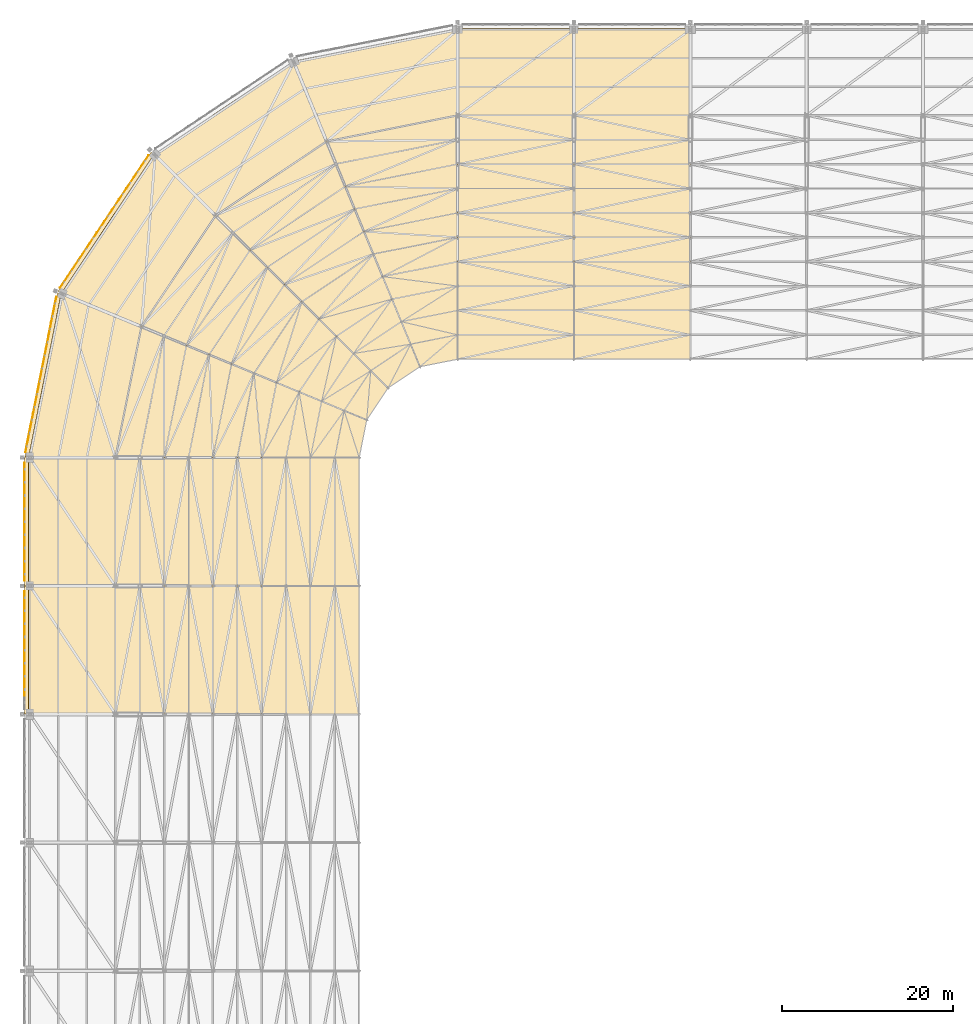
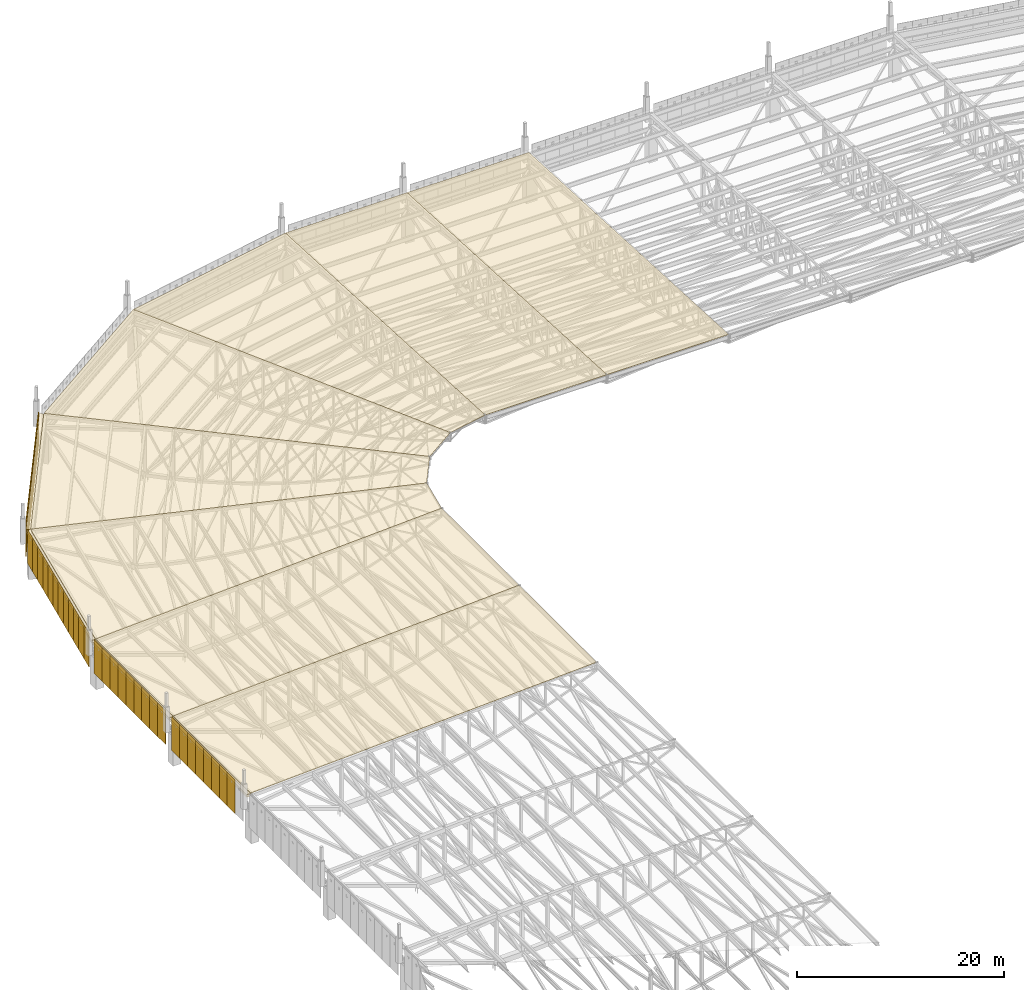
# One storey, part 276 of 278: 41 shading devices, 12 coverings.
"""IFC4 building model written with IfcOpenShell, lengths in metres."""

from ifc_helpers import new_model, si_unit, direction, frame, origin, origin_2d, place, context, subcontext, project, spatial, polyline, rectangle, outline, extrude, material, layer, layer_set, type_object, element, save


model = new_model("IFC4")

# Units and contexts
model_context = context("Model", 3, precision=1e-05, world=origin(), true_north=direction((0.0, 1.0)))
body_context = subcontext(model_context, "Body", "Model", "MODEL_VIEW")
ifc_project = project(units=[si_unit("LENGTHUNIT", "METRE"), si_unit("AREAUNIT", "SQUARE_METRE"), si_unit("VOLUMEUNIT", "CUBIC_METRE"), si_unit("PLANEANGLEUNIT", "RADIAN"), si_unit("MASSUNIT", "GRAM", prefix="KILO")], contexts=[model_context])

# Site, building, storey
site_placement = place(None, origin())
site = spatial("IfcSite", under=ifc_project, at=site_placement, CompositionType="ELEMENT")
building_placement = place(site_placement, origin())
building = spatial("IfcBuilding", under=site, at=building_placement, Name="Ogive Plaza Stadium", CompositionType="ELEMENT")
storey_placement = place(building_placement, frame((0.0, 0.0, 29.0)))
storey = spatial("IfcBuildingStorey", under=building, at=storey_placement, Name="Roof", CompositionType="ELEMENT", Elevation=29.0)

# Coverings
ifc_material_1 = material(Name="Titanium-zinc sheet", Category="metal")
ifc_layer_1 = layer(ifc_material_1, 0.010009765625)
ifc_layer_set_1 = layer_set([ifc_layer_1], Name="Eave box gutter")
covering_type_1 = type_object("IfcCoveringType", Name="Eave box gutter", PredefinedType="CLADDING", material=ifc_layer_set_1)
for number, where, z_axis, x_axis, name in (
    (1, (-84.37744140625, 30.0, 5.2001953125), (0.0, 0.0, 1.0), (0.0, 1.0, 0.0), "EAVE GUTTER B26"),
    (2, (-84.37744140625, 45.0, 5.2001953125), (0.0, 0.0, 1.0), (0.0, 1.0, 0.0), "EAVE GUTTER B27"),
):
    element("IfcCovering", number, at=place(storey_placement, frame(where, z_axis=z_axis, x_axis=x_axis)), inside=storey, type_object=covering_type_1, Name=name, PredefinedType="CLADDING", context=body_context, shape_type="SweptSolid", body=[
        extrude(rectangle(XDim=15.0, YDim=0.449951171875, at=origin_2d()), origin(), (0.0, 0.0, 1.0), 0.300048828125),
    ])
for number, where, z_axis, x_axis, name in (
    (3, (-82.46435546875, 62.14013671875, 5.2001953125), (0.0, 0.0, 1.0), (0.195090322016, 0.980785280403, 0.0), "EAVE GUTTER B28"),
    (4, (-75.0859375, 79.952880859375, 5.2001953125), (0.0, 0.0, 1.0), (0.55557023302, 0.831469612303, 0.0), "EAVE GUTTER B29"),
):
    element("IfcCovering", number, at=place(storey_placement, frame(where, z_axis=z_axis, x_axis=x_axis)), inside=storey, type_object=covering_type_1, Name=name, PredefinedType="CLADDING", context=body_context, shape_type="SweptSolid", body=[
        extrude(rectangle(XDim=19.568603515625, YDim=0.449951171875, at=origin_2d()), origin(), (0.0, 0.0, 1.0), 0.300048828125),
    ])
ifc_material_2 = material(Name="PTFE-coated glass-fibre membrane", Category="glass")
ifc_layer_2 = layer(ifc_material_2, 0.050048828125)
ifc_layer_set_2 = layer_set([ifc_layer_2], Name="Roof membrane panel")
covering_type_2 = type_object("IfcCoveringType", Name="Roof membrane panel", PredefinedType="ROOFING", material=ifc_layer_set_2)
for number, where, z_axis, x_axis, name in (
    (5, (-45.5, 22.5, 7.47509765625), (-0.049937616944, 0.0, 0.998752338878), (-0.998752338878, 0.0, -0.049937616944), "ROOF PANEL B26"),
    (6, (-45.5, 37.5, 7.47509765625), (-0.049937616944, 0.0, 0.998752338878), (-0.998752338878, 0.0, -0.049937616944), "ROOF PANEL B27"),
):
    element("IfcCovering", number, at=place(storey_placement, frame(where, z_axis=z_axis, x_axis=x_axis)), inside=storey, type_object=covering_type_2, Name=name, PredefinedType="ROOFING", context=body_context, shape_type="SweptSolid", body=[
        extrude(outline(polyline([(0.0, 0.0), (38.7006290202315, 0.0), (38.7006290202315, -15.0), (0.0, -15.0), (0.0, 0.0)])), origin(), (0.0, 0.0, -1.0), 0.050048828125),
    ])
covering_1_placement = place(storey_placement, frame((-45.5, 52.5, 7.47509765625), z_axis=(-0.04993505547, 0.009932961892, 0.998703072241), x_axis=(-0.998752343772, 9.74e-10, -0.049937519051)))
element("IfcCovering", 7, at=covering_1_placement, inside=storey, type_object=covering_type_2, Name="ROOF PANEL B28", PredefinedType="ROOFING", context=body_context, shape_type="SweptSolid", body=[
    extrude(outline(polyline([(0.0, 0.0), (38.70062902023132, 3.469446951953614e-18), (34.88776517183497, -19.19332964465389), (-0.8743959685589578, -4.401096064418014), (0.0, 0.0)])), origin(), (0.0, 0.0, -1.0), 0.050048828125),
])
covering_2_placement = place(storey_placement, frame((-44.62451171875, 56.90087890625, 7.47509765625), z_axis=(-0.0423334421, 0.028285334756, 0.998703068744), x_axis=(-0.92272818434, 0.38220271868, -0.049937757847)))
element("IfcCovering", 8, at=covering_2_placement, inside=storey, type_object=covering_type_2, Name="ROOF PANEL B29", PredefinedType="ROOFING", context=body_context, shape_type="SweptSolid", body=[
    extrude(outline(polyline([(0.0, 0.0), (38.70067626959137, -1.4918621893400541e-15), (34.88788675244272, -19.19352237293038), (-0.8740802771596128, -4.401074481133384), (0.0, 0.0)])), origin(), (0.0, 0.0, -1.0), 0.050048828125),
])
covering_3_placement = place(storey_placement, frame((-42.1318359375, 60.6318359375, 7.47509765625), z_axis=(-0.028285334756, 0.0423334421, 0.998703068744), x_axis=(-0.706224554973, 0.706224557813, -0.049937479857)))
element("IfcCovering", 9, at=covering_3_placement, inside=storey, type_object=covering_type_2, Name="ROOF PANEL B30", PredefinedType="ROOFING", context=body_context, shape_type="SweptSolid", body=[
    extrude(outline(polyline([(0.0, 0.0), (38.70057881295696, -1.2559397966072083e-15), (34.887552468526074, -19.19347532571769), (-0.8745046176349289, -4.400990183258547), (0.0, 0.0)])), origin(), (0.0, 0.0, -1.0), 0.050048828125),
])
covering_4_placement = place(storey_placement, frame((-38.40087890625, 63.12451171875, 7.47509765625), z_axis=(-0.009932961892, 0.04993505547, 0.998703072241), x_axis=(-0.382202723424, 0.922728188002, -0.049937653868)))
element("IfcCovering", 10, at=covering_4_placement, inside=storey, type_object=covering_type_2, Name="ROOF PANEL B31", PredefinedType="ROOFING", context=body_context, shape_type="SweptSolid", body=[
    extrude(outline(polyline([(0.0, 0.0), (38.70067626959198, -8.81239525796218e-16), (34.88792729059308, -19.193352463754227), (-0.8741901880509053, -4.401136943243575), (0.0, 0.0)])), origin(), (0.0, 0.0, -1.0), 0.050048828125),
])
covering_5_placement = place(storey_placement, frame((-34.0, 64.0, 7.47509765625), z_axis=(0.0, 0.049937616944, 0.998752338878), x_axis=(0.0, 0.998752338878, -0.049937616944)))
element("IfcCovering", 11, at=covering_5_placement, inside=storey, type_object=covering_type_2, Name="ROOF PANEL B32", PredefinedType="ROOFING", context=body_context, shape_type="SweptSolid", body=[
    extrude(outline(polyline([(0.0, 0.0), (38.7006290202315, 0.0), (38.7006290202315, -13.60009765625), (0.0, -13.60009765625), (0.0, 0.0)])), origin(), (0.0, 0.0, -1.0), 0.050048828125),
])
covering_6_placement = place(storey_placement, frame((-20.39990234375, 64.0, 7.47509765625), z_axis=(0.0, 0.049937616944, 0.998752338878), x_axis=(0.0, 0.998752338878, -0.049937616944)))
element("IfcCovering", 12, at=covering_6_placement, inside=storey, type_object=covering_type_2, Name="ROOF PANEL B33", PredefinedType="ROOFING", context=body_context, shape_type="SweptSolid", body=[
    extrude(outline(polyline([(0.0, 0.0), (38.7006290202315, 0.0), (38.7006290202315, -13.599853515624998), (0.0, -13.599853515624998), (0.0, 0.0)])), origin(), (0.0, 0.0, -1.0), 0.050048828125),
])

# Shading devices
ifc_material_3 = material(Name="Perforated bronze-anodised aluminium", Category="aluminium")
ifc_layer_3 = layer(ifc_material_3, 0.050048828125)
ifc_layer_set_3 = layer_set([ifc_layer_3], Name="Tracery screen panel")
shading_device_type = type_object("IfcShadingDeviceType", Name="Tracery screen panel", PredefinedType="SHUTTER", material=ifc_layer_set_3)
for number, where, z_axis, x_axis, name in (
    (13, (-84.62744140625, 25.39990234375, 2.0), (0.0, 0.0, 1.0), (0.0, 1.0, 0.0), "TRACERY SCREEN B26 2"),
    (14, (-84.62744140625, 26.933349609375, 2.0), (0.0, 0.0, 1.0), (0.0, 1.0, 0.0), "TRACERY SCREEN B26 3"),
    (15, (-84.62744140625, 28.466552734375, 2.0), (0.0, 0.0, 1.0), (0.0, 1.0, 0.0), "TRACERY SCREEN B26 4"),
    (16, (-84.62744140625, 30.0, 2.0), (0.0, 0.0, 1.0), (0.0, 1.0, 0.0), "TRACERY SCREEN B26 5"),
    (17, (-84.62744140625, 31.533447265625, 2.0), (0.0, 0.0, 1.0), (0.0, 1.0, 0.0), "TRACERY SCREEN B26 6"),
    (18, (-84.62744140625, 33.066650390625, 2.0), (0.0, 0.0, 1.0), (0.0, 1.0, 0.0), "TRACERY SCREEN B26 7"),
    (19, (-84.62744140625, 34.60009765625, 2.0), (0.0, 0.0, 1.0), (0.0, 1.0, 0.0), "TRACERY SCREEN B26 8"),
    (20, (-84.62744140625, 36.13330078125, 2.0), (0.0, 0.0, 1.0), (0.0, 1.0, 0.0), "TRACERY SCREEN B26 9"),
    (21, (-84.62744140625, 38.86669921875, 2.0), (0.0, 0.0, 1.0), (0.0, 1.0, 0.0), "TRACERY SCREEN B27 1"),
    (22, (-84.62744140625, 40.39990234375, 2.0), (0.0, 0.0, 1.0), (0.0, 1.0, 0.0), "TRACERY SCREEN B27 2"),
    (23, (-84.62744140625, 41.933349609375, 2.0), (0.0, 0.0, 1.0), (0.0, 1.0, 0.0), "TRACERY SCREEN B27 3"),
    (24, (-84.62744140625, 43.466552734375, 2.0), (0.0, 0.0, 1.0), (0.0, 1.0, 0.0), "TRACERY SCREEN B27 4"),
    (25, (-84.62744140625, 45.0, 2.0), (0.0, 0.0, 1.0), (0.0, 1.0, 0.0), "TRACERY SCREEN B27 5"),
    (26, (-84.62744140625, 46.533447265625, 2.0), (0.0, 0.0, 1.0), (0.0, 1.0, 0.0), "TRACERY SCREEN B27 6"),
    (27, (-84.62744140625, 48.066650390625, 2.0), (0.0, 0.0, 1.0), (0.0, 1.0, 0.0), "TRACERY SCREEN B27 7"),
    (28, (-84.62744140625, 49.60009765625, 2.0), (0.0, 0.0, 1.0), (0.0, 1.0, 0.0), "TRACERY SCREEN B27 8"),
    (29, (-84.62744140625, 51.13330078125, 2.0), (0.0, 0.0, 1.0), (0.0, 1.0, 0.0), "TRACERY SCREEN B27 9"),
):
    element("IfcShadingDevice", number, at=place(storey_placement, frame(where, z_axis=z_axis, x_axis=x_axis)), inside=storey, type_object=shading_device_type, Name=name, PredefinedType="SHUTTER", context=body_context, shape_type="SweptSolid", body=[
        extrude(rectangle(XDim=1.533447265625, YDim=0.050048828125, at=origin_2d()), origin(), (0.0, 0.0, 1.0), 4.0),
    ])
for number, where, z_axis, x_axis, name in (
    (30, (-84.36572265625, 53.86181640625, 2.0), (0.0, 0.0, 1.0), (0.195090322016, 0.980785280403, 0.0), "TRACERY SCREEN B28 1"),
    (31, (-84.064697265625, 55.3759765625, 2.0), (0.0, 0.0, 1.0), (0.195090322016, 0.980785280403, 0.0), "TRACERY SCREEN B28 2"),
    (32, (-83.763427734375, 56.889892578125, 2.0), (0.0, 0.0, 1.0), (0.195090322016, 0.980785280403, 0.0), "TRACERY SCREEN B28 3"),
    (33, (-83.46240234375, 58.40380859375, 2.0), (0.0, 0.0, 1.0), (0.195090322016, 0.980785280403, 0.0), "TRACERY SCREEN B28 4"),
    (34, (-83.1611328125, 59.91796875, 2.0), (0.0, 0.0, 1.0), (0.195090322016, 0.980785280403, 0.0), "TRACERY SCREEN B28 5"),
    (35, (-82.860107421875, 61.431884765625, 2.0), (0.0, 0.0, 1.0), (0.195090322016, 0.980785280403, 0.0), "TRACERY SCREEN B28 6"),
    (36, (-82.558837890625, 62.94580078125, 2.0), (0.0, 0.0, 1.0), (0.195090322016, 0.980785280403, 0.0), "TRACERY SCREEN B28 7"),
    (37, (-82.2578125, 64.4599609375, 2.0), (0.0, 0.0, 1.0), (0.195090322016, 0.980785280403, 0.0), "TRACERY SCREEN B28 8"),
    (38, (-81.95654296875, 65.973876953125, 2.0), (0.0, 0.0, 1.0), (0.195090322016, 0.980785280403, 0.0), "TRACERY SCREEN B28 9"),
    (39, (-81.655517578125, 67.488037109375, 2.0), (0.0, 0.0, 1.0), (0.195090322016, 0.980785280403, 0.0), "TRACERY SCREEN B28 10"),
    (40, (-81.354248046875, 69.001953125, 2.0), (0.0, 0.0, 1.0), (0.195090322016, 0.980785280403, 0.0), "TRACERY SCREEN B28 11"),
    (41, (-81.05322265625, 70.515869140625, 2.0), (0.0, 0.0, 1.0), (0.195090322016, 0.980785280403, 0.0), "TRACERY SCREEN B28 12"),
):
    element("IfcShadingDevice", number, at=place(storey_placement, frame(where, z_axis=z_axis, x_axis=x_axis)), inside=storey, type_object=shading_device_type, Name=name, PredefinedType="SHUTTER", context=body_context, shape_type="SweptSolid", body=[
        extrude(rectangle(XDim=1.543701171875, YDim=0.050048828125, at=origin_2d()), origin(), (0.0, 0.0, 1.0), 4.0),
    ])
for number, where, z_axis, x_axis, name in (
    (42, (-80.03662109375, 72.993408203125, 2.0), (0.0, 0.0, 1.0), (0.55557023302, 0.831469612303, 0.0), "TRACERY SCREEN B29 1"),
    (43, (-79.17431640625, 74.2841796875, 2.0), (0.0, 0.0, 1.0), (0.55557023302, 0.831469612303, 0.0), "TRACERY SCREEN B29 2"),
    (44, (-78.31201171875, 75.57470703125, 2.0), (0.0, 0.0, 1.0), (0.55557023302, 0.831469612303, 0.0), "TRACERY SCREEN B29 3"),
    (45, (-77.44970703125, 76.865234375, 2.0), (0.0, 0.0, 1.0), (0.55557023302, 0.831469612303, 0.0), "TRACERY SCREEN B29 4"),
    (46, (-76.58740234375, 78.15576171875, 2.0), (0.0, 0.0, 1.0), (0.55557023302, 0.831469612303, 0.0), "TRACERY SCREEN B29 5"),
    (47, (-75.72509765625, 79.4462890625, 2.0), (0.0, 0.0, 1.0), (0.55557023302, 0.831469612303, 0.0), "TRACERY SCREEN B29 6"),
    (48, (-74.86279296875, 80.737060546875, 2.0), (0.0, 0.0, 1.0), (0.55557023302, 0.831469612303, 0.0), "TRACERY SCREEN B29 7"),
    (49, (-74.00048828125, 82.027587890625, 2.0), (0.0, 0.0, 1.0), (0.55557023302, 0.831469612303, 0.0), "TRACERY SCREEN B29 8"),
    (50, (-73.137939453125, 83.318115234375, 2.0), (0.0, 0.0, 1.0), (0.55557023302, 0.831469612303, 0.0), "TRACERY SCREEN B29 9"),
    (51, (-72.275634765625, 84.608642578125, 2.0), (0.0, 0.0, 1.0), (0.55557023302, 0.831469612303, 0.0), "TRACERY SCREEN B29 10"),
    (52, (-71.413330078125, 85.899169921875, 2.0), (0.0, 0.0, 1.0), (0.55557023302, 0.831469612303, 0.0), "TRACERY SCREEN B29 11"),
    (53, (-70.551025390625, 87.18994140625, 2.0), (0.0, 0.0, 1.0), (0.55557023302, 0.831469612303, 0.0), "TRACERY SCREEN B29 12"),
):
    element("IfcShadingDevice", number, at=place(storey_placement, frame(where, z_axis=z_axis, x_axis=x_axis)), inside=storey, type_object=shading_device_type, Name=name, PredefinedType="SHUTTER", context=body_context, shape_type="SweptSolid", body=[
        extrude(rectangle(XDim=1.55224609375, YDim=0.050048828125, at=origin_2d()), origin(), (0.0, 0.0, 1.0), 4.0),
    ])

save(model, "model.ifc")
